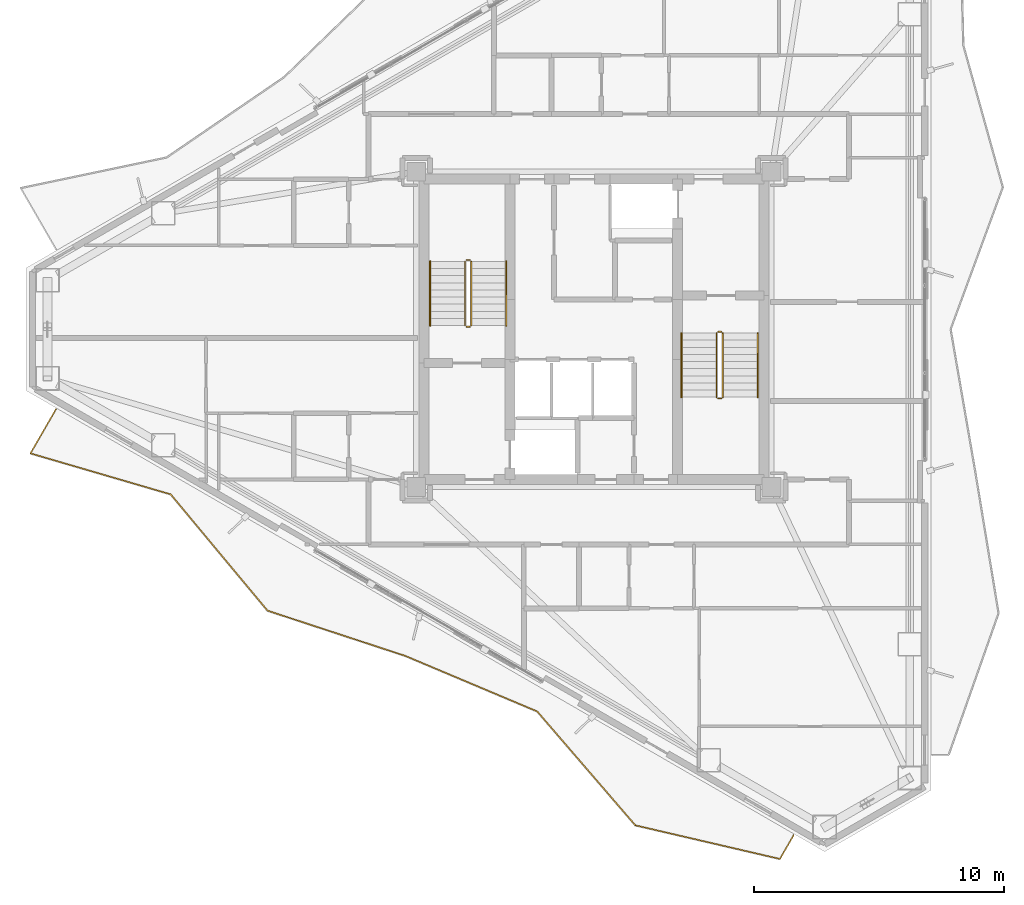
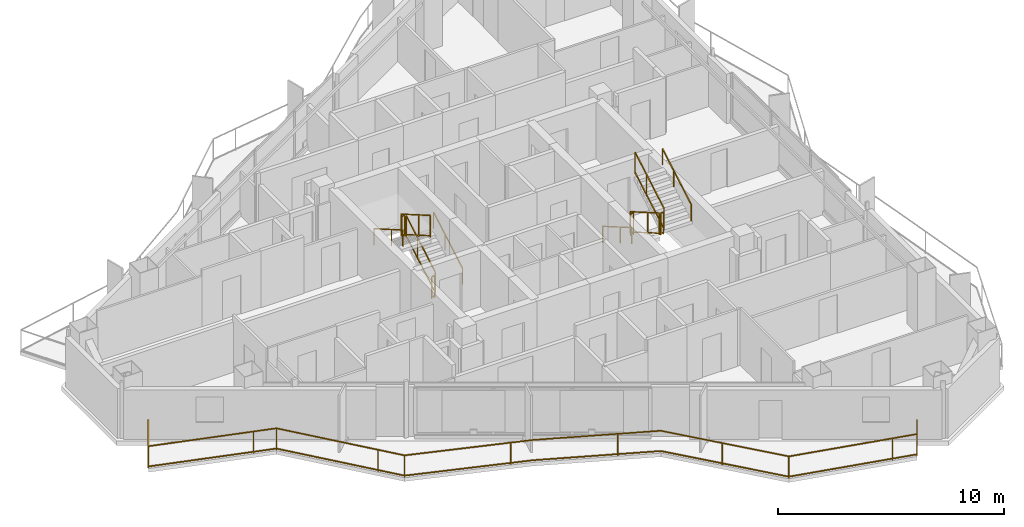
# One storey, part 18 of 19: 13 railings.
"""IFC4 building model written with IfcOpenShell, lengths in metres."""

from ifc_helpers import new_model, si_unit, direction, frame, origin, origin_2d, place, context, subcontext, project, spatial, rectangle, extrude, material, type_object, element, save


model = new_model("IFC4")

# Units and contexts
model_context = context("Model", 3, precision=1e-05, world=origin(), true_north=direction((0.0, 1.0)))
body_context = subcontext(model_context, "Body", "Model", "MODEL_VIEW")
ifc_project = project(units=[si_unit("LENGTHUNIT", "METRE"), si_unit("AREAUNIT", "SQUARE_METRE"), si_unit("VOLUMEUNIT", "CUBIC_METRE"), si_unit("PLANEANGLEUNIT", "RADIAN"), si_unit("MASSUNIT", "GRAM", prefix="KILO")], contexts=[model_context])

# Site, building, storey
site_placement = place(None, origin())
site = spatial("IfcSite", under=ifc_project, at=site_placement, CompositionType="ELEMENT")
building_placement = place(site_placement, origin())
building = spatial("IfcBuilding", under=site, at=building_placement, Name="Mersakhor Tower and Convention Hall", CompositionType="ELEMENT")
storey_placement = place(building_placement, frame((0.0, 0.0, 124.5)))
storey = spatial("IfcBuildingStorey", under=building, at=storey_placement, Name="L34", CompositionType="ELEMENT", Elevation=124.5)

# Railings
ifc_material_1 = material(Name="Powder-coated galvanised steel and laminated glass balustrade", Category="steel")
railing_type_1 = type_object("IfcRailingType", Name="RL-BAL-1200", PredefinedType="BALUSTRADE", material=ifc_material_1)
railing_1_placement = place(storey_placement, frame((7.497802734375, 23.5537109375, 0.0)))
element("IfcRailing", 1, at=railing_1_placement, inside=storey, type_object=railing_type_1, Name="L34 Sinusoidal Balcony Balustrade F3", PredefinedType="BALUSTRADE", context=body_context, shape_type="SweptSolid", body=[
    extrude(rectangle(XDim=0.048095703125, YDim=0.048095703125, at=origin_2d()), frame((0.0, 0.0, 1.17578125), z_axis=(-0.500023678693, -0.866011732453, 0.0), x_axis=(0.866011732453, -0.500023678693, 0.0)), (0.0, 0.0, 1.0), 2.03466796875),
    extrude(rectangle(XDim=0.048095703125, YDim=0.048095703125, at=origin_2d()), frame((0.0, 0.0, 0.080078125), z_axis=(-0.500023678693, -0.866011732453, 0.0), x_axis=(0.866011732453, -0.500023678693, 0.0)), (0.0, 0.0, 1.0), 2.03466796875),
    extrude(rectangle(XDim=0.048095703125, YDim=0.048095703125, at=origin_2d()), frame((-1.017333984375, -1.761962890625, 1.17578125), z_axis=(0.959863187433, -0.28046864604, 0.0), x_axis=(0.28046864604, 0.959863187433, 0.0)), (0.0, 0.0, 1.0), 5.8408203125),
    extrude(rectangle(XDim=0.048095703125, YDim=0.048095703125, at=origin_2d()), frame((-1.017333984375, -1.761962890625, 0.080078125), z_axis=(0.959863187433, -0.28046864604, 0.0), x_axis=(0.28046864604, 0.959863187433, 0.0)), (0.0, 0.0, 1.0), 5.8408203125),
    extrude(rectangle(XDim=0.048095703125, YDim=0.048095703125, at=origin_2d()), frame((4.589111328125, -3.400146484375, 1.17578125), z_axis=(0.639818991746, -0.768525639, 0.0), x_axis=(0.768525639, 0.639818991746, 0.0)), (0.0, 0.0, 1.0), 6.04736328125),
    extrude(rectangle(XDim=0.048095703125, YDim=0.048095703125, at=origin_2d()), frame((4.589111328125, -3.400146484375, 0.080078125), z_axis=(0.639818991746, -0.768525639, 0.0), x_axis=(0.768525639, 0.639818991746, 0.0)), (0.0, 0.0, 1.0), 6.04736328125),
    extrude(rectangle(XDim=0.048095703125, YDim=0.048095703125, at=origin_2d()), frame((8.458251953125, -8.047607421875, 1.17578125), z_axis=(0.950063857998, -0.312055549103, 0.0), x_axis=(0.312055549103, 0.950063857998, 0.0)), (0.0, 0.0, 1.0), 5.79736328125),
    extrude(rectangle(XDim=0.048095703125, YDim=0.048095703125, at=origin_2d()), frame((8.458251953125, -8.047607421875, 0.080078125), z_axis=(0.950063857998, -0.312055549103, 0.0), x_axis=(0.312055549103, 0.950063857998, 0.0)), (0.0, 0.0, 1.0), 5.79736328125),
    extrude(rectangle(XDim=0.048095703125, YDim=0.048095703125, at=origin_2d()), frame((13.966064453125, -9.856689453125, 1.17578125), z_axis=(0.921665102999, -0.387986388827, 0.0), x_axis=(0.387986388827, 0.921665102999, 0.0)), (0.0, 0.0, 1.0), 5.71923828125),
    extrude(rectangle(XDim=0.048095703125, YDim=0.048095703125, at=origin_2d()), frame((13.966064453125, -9.856689453125, 0.080078125), z_axis=(0.921665102999, -0.387986388827, 0.0), x_axis=(0.387986388827, 0.921665102999, 0.0)), (0.0, 0.0, 1.0), 5.71923828125),
    extrude(rectangle(XDim=0.048095703125, YDim=0.048095703125, at=origin_2d()), frame((19.2373046875, -12.07568359375, 1.17578125), z_axis=(0.652826312682, -0.757507627335, 0.0), x_axis=(0.757507627335, 0.652826312682, 0.0)), (0.0, 0.0, 1.0), 6.01025390625),
    extrude(rectangle(XDim=0.048095703125, YDim=0.048095703125, at=origin_2d()), frame((19.2373046875, -12.07568359375, 0.080078125), z_axis=(0.652826312682, -0.757507627335, 0.0), x_axis=(0.757507627335, 0.652826312682, 0.0)), (0.0, 0.0, 1.0), 6.01025390625),
    extrude(rectangle(XDim=0.048095703125, YDim=0.048095703125, at=origin_2d()), frame((23.160888671875, -16.62841796875, 1.17578125), z_axis=(0.974015207491, -0.2264826165, 0.0), x_axis=(0.2264826165, 0.974015207491, 0.0)), (0.0, 0.0, 1.0), 5.930908203125),
    extrude(rectangle(XDim=0.048095703125, YDim=0.048095703125, at=origin_2d()), frame((23.160888671875, -16.62841796875, 0.080078125), z_axis=(0.974015207491, -0.2264826165, 0.0), x_axis=(0.2264826165, 0.974015207491, 0.0)), (0.0, 0.0, 1.0), 5.930908203125),
    extrude(rectangle(XDim=0.048095703125, YDim=0.048095703125, at=origin_2d()), frame((28.937744140625, -17.9716796875, 1.17578125), z_axis=(0.49999903102, 0.866025963225, 0.0), x_axis=(-0.866025963225, 0.49999903102, 0.0)), (0.0, 0.0, 1.0), 1.09521484375),
    extrude(rectangle(XDim=0.048095703125, YDim=0.048095703125, at=origin_2d()), frame((28.937744140625, -17.9716796875, 0.080078125), z_axis=(0.49999903102, 0.866025963225, 0.0), x_axis=(-0.866025963225, 0.49999903102, 0.0)), (0.0, 0.0, 1.0), 1.09521484375),
    extrude(rectangle(XDim=0.0419921875, YDim=0.0419921875, at=origin_2d()), origin(), (0.0, 0.0, 1.0), 1.15185546875),
    extrude(rectangle(XDim=0.0419921875, YDim=0.0419921875, at=origin_2d()), frame((-1.017333984375, -1.761962890625, 0.0)), (0.0, 0.0, 1.0), 1.15185546875),
    extrude(rectangle(XDim=0.0419921875, YDim=0.0419921875, at=origin_2d()), frame((3.590087890625, -3.108154296875, 0.0)), (0.0, 0.0, 1.0), 1.15185546875),
    extrude(rectangle(XDim=0.0419921875, YDim=0.0419921875, at=origin_2d()), frame((4.589111328125, -3.400146484375, 0.0)), (0.0, 0.0, 1.0), 1.15185546875),
    extrude(rectangle(XDim=0.0419921875, YDim=0.0419921875, at=origin_2d()), frame((7.66015625, -7.089111328125, 0.0)), (0.0, 0.0, 1.0), 1.15185546875),
    extrude(rectangle(XDim=0.0419921875, YDim=0.0419921875, at=origin_2d()), frame((8.458251953125, -8.047607421875, 0.0)), (0.0, 0.0, 1.0), 1.15185546875),
    extrude(rectangle(XDim=0.0419921875, YDim=0.0419921875, at=origin_2d()), frame((13.0185546875, -9.54541015625, 0.0)), (0.0, 0.0, 1.0), 1.15185546875),
    extrude(rectangle(XDim=0.0419921875, YDim=0.0419921875, at=origin_2d()), frame((17.470947265625, -11.33203125, 0.0)), (0.0, 0.0, 1.0), 1.15185546875),
    extrude(rectangle(XDim=0.0419921875, YDim=0.0419921875, at=origin_2d()), frame((21.11962890625, -14.260009765625, 0.0)), (0.0, 0.0, 1.0), 1.15185546875),
    extrude(rectangle(XDim=0.0419921875, YDim=0.0419921875, at=origin_2d()), frame((23.160888671875, -16.62841796875, 0.0)), (0.0, 0.0, 1.0), 1.15185546875),
    extrude(rectangle(XDim=0.0419921875, YDim=0.0419921875, at=origin_2d()), frame((27.836181640625, -17.715576171875, 0.0)), (0.0, 0.0, 1.0), 1.15185546875),
    extrude(rectangle(XDim=0.0419921875, YDim=0.0419921875, at=origin_2d()), frame((28.937744140625, -17.9716796875, 0.0)), (0.0, 0.0, 1.0), 1.15185546875),
    extrude(rectangle(XDim=0.0419921875, YDim=0.0419921875, at=origin_2d()), frame((29.4853515625, -17.023193359375, 0.0)), (0.0, 0.0, 1.0), 1.15185546875),
])
ifc_material_2 = material(Name="Brushed stainless steel handrail", Category="steel")
railing_type_2 = type_object("IfcRailingType", Name="RL-HR-900", PredefinedType="HANDRAIL", material=ifc_material_2)
railing_2_placement = place(storey_placement, frame((25.5, 26.89990234375, 0.1650390625)))
element("IfcRailing", 2, at=railing_2_placement, inside=storey, type_object=railing_type_2, Name="L34 ST-1 stair handrail 1", PredefinedType="HANDRAIL", context=body_context, shape_type="SweptSolid", body=[
    extrude(rectangle(XDim=0.048095703125, YDim=0.048095703125, at=origin_2d()), frame((0.0, 0.0, 0.8759765625), z_axis=(0.0, 0.865461999751, 0.500974577186), x_axis=(-1.0, 0.0, 0.0)), (0.0, 0.0, 1.0), 2.9638671875),
    extrude(rectangle(XDim=0.0419921875, YDim=0.0419921875, at=origin_2d()), origin(), (0.0, 0.0, 1.0), 0.851806640625),
    extrude(rectangle(XDim=0.0419921875, YDim=0.0419921875, at=origin_2d()), frame((0.0, 1.557861328125, 0.90185546875)), (0.0, 0.0, 1.0), 0.851806640625),
    extrude(rectangle(XDim=0.0419921875, YDim=0.0419921875, at=origin_2d()), frame((0.0, 2.565185546875, 1.48486328125)), (0.0, 0.0, 1.0), 0.851806640625),
])
railing_3_placement = place(storey_placement, frame((22.449951171875, 29.465087890625, 1.81494140625)))
element("IfcRailing", 3, at=railing_3_placement, inside=storey, type_object=railing_type_2, Name="L34 ST-1 stair handrail 2", PredefinedType="HANDRAIL", context=body_context, shape_type="SweptSolid", body=[
    extrude(rectangle(XDim=0.048095703125, YDim=0.048095703125, at=origin_2d()), frame((0.0, 0.0, 0.8759765625), z_axis=(0.0, -0.865426285481, 0.501036270542), x_axis=(1.0, 0.0, 0.0)), (0.0, 0.0, 1.0), 2.964111328125),
    extrude(rectangle(XDim=0.0419921875, YDim=0.0419921875, at=origin_2d()), origin(), (0.0, 0.0, 1.0), 0.851806640625),
    extrude(rectangle(XDim=0.0419921875, YDim=0.0419921875, at=origin_2d()), frame((0.0, -1.557861328125, 0.90185546875)), (0.0, 0.0, 1.0), 0.851806640625),
    extrude(rectangle(XDim=0.0419921875, YDim=0.0419921875, at=origin_2d()), frame((0.0, -2.565185546875, 1.485107421875)), (0.0, 0.0, 1.0), 0.851806640625),
])
railing_4_placement = place(storey_placement, frame((32.5, 26.60009765625, 0.1650390625)))
element("IfcRailing", 4, at=railing_4_placement, inside=storey, type_object=railing_type_2, Name="L34 ST-2 stair handrail 1", PredefinedType="HANDRAIL", context=body_context, shape_type="SweptSolid", body=[
    extrude(rectangle(XDim=0.048095703125, YDim=0.048095703125, at=origin_2d()), frame((0.0, 0.0, 0.8759765625), z_axis=(0.0, -0.865461999751, 0.500974577186), x_axis=(1.0, 0.0, 0.0)), (0.0, 0.0, 1.0), 2.9638671875),
    extrude(rectangle(XDim=0.0419921875, YDim=0.0419921875, at=origin_2d()), origin(), (0.0, 0.0, 1.0), 0.851806640625),
    extrude(rectangle(XDim=0.0419921875, YDim=0.0419921875, at=origin_2d()), frame((0.0, -1.557861328125, 0.90185546875)), (0.0, 0.0, 1.0), 0.851806640625),
    extrude(rectangle(XDim=0.0419921875, YDim=0.0419921875, at=origin_2d()), frame((0.0, -2.565185546875, 1.48486328125)), (0.0, 0.0, 1.0), 0.851806640625),
])
railing_5_placement = place(storey_placement, frame((35.550048828125, 24.034912109375, 1.81494140625)))
element("IfcRailing", 5, at=railing_5_placement, inside=storey, type_object=railing_type_2, Name="L34 ST-2 stair handrail 2", PredefinedType="HANDRAIL", context=body_context, shape_type="SweptSolid", body=[
    extrude(rectangle(XDim=0.048095703125, YDim=0.048095703125, at=origin_2d()), frame((0.0, 0.0, 0.8759765625), z_axis=(0.0, 0.865426285481, 0.501036270542), x_axis=(-1.0, 0.0, 0.0)), (0.0, 0.0, 1.0), 2.964111328125),
    extrude(rectangle(XDim=0.0419921875, YDim=0.0419921875, at=origin_2d()), origin(), (0.0, 0.0, 1.0), 0.851806640625),
    extrude(rectangle(XDim=0.0419921875, YDim=0.0419921875, at=origin_2d()), frame((0.0, 1.557861328125, 0.90185546875)), (0.0, 0.0, 1.0), 0.851806640625),
    extrude(rectangle(XDim=0.0419921875, YDim=0.0419921875, at=origin_2d()), frame((0.0, 2.565185546875, 1.485107421875)), (0.0, 0.0, 1.0), 0.851806640625),
])
ifc_material_3 = material(Name="Painted steel stair balustrade S355", Category="steel")
railing_type_3 = type_object("IfcRailingType", Name="RL-STG-1200", PredefinedType="BALUSTRADE", material=ifc_material_3)
railing_6_placement = place(storey_placement, frame((24.10009765625, 26.89990234375, 0.1650390625)))
element("IfcRailing", 6, at=railing_6_placement, inside=storey, type_object=railing_type_3, Name="L34 ST-1 stair guard 1", PredefinedType="BALUSTRADE", context=body_context, shape_type="SweptSolid", body=[
    extrude(rectangle(XDim=0.048095703125, YDim=0.048095703125, at=origin_2d()), frame((0.0, 0.0, 1.17578125), z_axis=(0.0, 0.865461999751, 0.500974577186), x_axis=(-1.0, 0.0, 0.0)), (0.0, 0.0, 1.0), 2.9638671875),
    extrude(rectangle(XDim=0.048095703125, YDim=0.048095703125, at=origin_2d()), frame((0.0, 0.0, 0.080078125), z_axis=(0.0, 0.865461999751, 0.500974577186), x_axis=(-1.0, 0.0, 0.0)), (0.0, 0.0, 1.0), 2.9638671875),
    extrude(rectangle(XDim=0.0419921875, YDim=0.0419921875, at=origin_2d()), origin(), (0.0, 0.0, 1.0), 1.15185546875),
    extrude(rectangle(XDim=0.0419921875, YDim=0.0419921875, at=origin_2d()), frame((0.0, 1.557861328125, 0.90185546875)), (0.0, 0.0, 1.0), 1.15185546875),
    extrude(rectangle(XDim=0.0419921875, YDim=0.0419921875, at=origin_2d()), frame((0.0, 2.565185546875, 1.48486328125)), (0.0, 0.0, 1.0), 1.15185546875),
])
railing_7_placement = place(storey_placement, frame((24.050048828125, 29.514892578125, 1.64990234375)))
element("IfcRailing", 7, at=railing_7_placement, inside=storey, type_object=railing_type_3, Name="L34 ST-1 stair guard 2", PredefinedType="BALUSTRADE", context=body_context, shape_type="SweptSolid", body=[
    extrude(rectangle(XDim=0.048095703125, YDim=0.048095703125, at=origin_2d()), frame((0.0, 0.0, 1.17578125), z_axis=(-1.0, 0.0, 0.0), x_axis=(0.0, -1.0, 0.0)), (0.0, 0.0, 1.0), 0.150146484375),
    extrude(rectangle(XDim=0.048095703125, YDim=0.048095703125, at=origin_2d()), frame((0.0, 0.0, 0.080078125), z_axis=(-1.0, 0.0, 0.0), x_axis=(0.0, -1.0, 0.0)), (0.0, 0.0, 1.0), 0.150146484375),
    extrude(rectangle(XDim=0.0419921875, YDim=0.0419921875, at=origin_2d()), origin(), (0.0, 0.0, 1.0), 1.15185546875),
    extrude(rectangle(XDim=0.0419921875, YDim=0.0419921875, at=origin_2d()), frame((-0.150146484375, 0.0, 0.0)), (0.0, 0.0, 1.0), 1.15185546875),
])
railing_8_placement = place(storey_placement, frame((23.85009765625, 29.465087890625, 1.81494140625)))
element("IfcRailing", 8, at=railing_8_placement, inside=storey, type_object=railing_type_3, Name="L34 ST-1 stair guard 3", PredefinedType="BALUSTRADE", context=body_context, shape_type="SweptSolid", body=[
    extrude(rectangle(XDim=0.048095703125, YDim=0.048095703125, at=origin_2d()), frame((0.0, 0.0, 1.17578125), z_axis=(0.0, -0.865426285481, 0.501036270542), x_axis=(1.0, 0.0, 0.0)), (0.0, 0.0, 1.0), 2.964111328125),
    extrude(rectangle(XDim=0.048095703125, YDim=0.048095703125, at=origin_2d()), frame((0.0, 0.0, 0.080078125), z_axis=(0.0, -0.865426285481, 0.501036270542), x_axis=(1.0, 0.0, 0.0)), (0.0, 0.0, 1.0), 2.964111328125),
    extrude(rectangle(XDim=0.0419921875, YDim=0.0419921875, at=origin_2d()), origin(), (0.0, 0.0, 1.0), 1.15185546875),
    extrude(rectangle(XDim=0.0419921875, YDim=0.0419921875, at=origin_2d()), frame((0.0, -1.557861328125, 0.90185546875)), (0.0, 0.0, 1.0), 1.15185546875),
    extrude(rectangle(XDim=0.0419921875, YDim=0.0419921875, at=origin_2d()), frame((0.0, -2.565185546875, 1.485107421875)), (0.0, 0.0, 1.0), 1.15185546875),
])
railing_9_placement = place(storey_placement, frame((24.050048828125, 26.85009765625, 0.0)))
element("IfcRailing", 9, at=railing_9_placement, inside=storey, type_object=railing_type_3, Name="L34 ST-1 stair guard 4", PredefinedType="BALUSTRADE", context=body_context, shape_type="SweptSolid", body=[
    extrude(rectangle(XDim=0.048095703125, YDim=0.048095703125, at=origin_2d()), frame((0.0, 0.0, 1.17578125), z_axis=(-1.0, 0.0, 0.0), x_axis=(0.0, -1.0, 0.0)), (0.0, 0.0, 1.0), 0.150146484375),
    extrude(rectangle(XDim=0.048095703125, YDim=0.048095703125, at=origin_2d()), frame((0.0, 0.0, 0.080078125), z_axis=(-1.0, 0.0, 0.0), x_axis=(0.0, -1.0, 0.0)), (0.0, 0.0, 1.0), 0.150146484375),
    extrude(rectangle(XDim=0.0419921875, YDim=0.0419921875, at=origin_2d()), origin(), (0.0, 0.0, 1.0), 1.15185546875),
    extrude(rectangle(XDim=0.0419921875, YDim=0.0419921875, at=origin_2d()), frame((-0.150146484375, 0.0, 0.0)), (0.0, 0.0, 1.0), 1.15185546875),
])
railing_10_placement = place(storey_placement, frame((33.89990234375, 26.60009765625, 0.1650390625)))
element("IfcRailing", 10, at=railing_10_placement, inside=storey, type_object=railing_type_3, Name="L34 ST-2 stair guard 1", PredefinedType="BALUSTRADE", context=body_context, shape_type="SweptSolid", body=[
    extrude(rectangle(XDim=0.048095703125, YDim=0.048095703125, at=origin_2d()), frame((0.0, 0.0, 1.17578125), z_axis=(0.0, -0.865461999751, 0.500974577186), x_axis=(1.0, 0.0, 0.0)), (0.0, 0.0, 1.0), 2.9638671875),
    extrude(rectangle(XDim=0.048095703125, YDim=0.048095703125, at=origin_2d()), frame((0.0, 0.0, 0.080078125), z_axis=(0.0, -0.865461999751, 0.500974577186), x_axis=(1.0, 0.0, 0.0)), (0.0, 0.0, 1.0), 2.9638671875),
    extrude(rectangle(XDim=0.0419921875, YDim=0.0419921875, at=origin_2d()), origin(), (0.0, 0.0, 1.0), 1.15185546875),
    extrude(rectangle(XDim=0.0419921875, YDim=0.0419921875, at=origin_2d()), frame((0.0, -1.557861328125, 0.90185546875)), (0.0, 0.0, 1.0), 1.15185546875),
    extrude(rectangle(XDim=0.0419921875, YDim=0.0419921875, at=origin_2d()), frame((0.0, -2.565185546875, 1.48486328125)), (0.0, 0.0, 1.0), 1.15185546875),
])
railing_11_placement = place(storey_placement, frame((33.949951171875, 23.985107421875, 1.64990234375)))
element("IfcRailing", 11, at=railing_11_placement, inside=storey, type_object=railing_type_3, Name="L34 ST-2 stair guard 2", PredefinedType="BALUSTRADE", context=body_context, shape_type="SweptSolid", body=[
    extrude(rectangle(XDim=0.048095703125, YDim=0.048095703125, at=origin_2d()), frame((0.0, 0.0, 1.17578125), z_axis=(1.0, 0.0, 0.0), x_axis=(0.0, 1.0, 0.0)), (0.0, 0.0, 1.0), 0.150146484375),
    extrude(rectangle(XDim=0.048095703125, YDim=0.048095703125, at=origin_2d()), frame((0.0, 0.0, 0.080078125), z_axis=(1.0, 0.0, 0.0), x_axis=(0.0, 1.0, 0.0)), (0.0, 0.0, 1.0), 0.150146484375),
    extrude(rectangle(XDim=0.0419921875, YDim=0.0419921875, at=origin_2d()), origin(), (0.0, 0.0, 1.0), 1.15185546875),
    extrude(rectangle(XDim=0.0419921875, YDim=0.0419921875, at=origin_2d()), frame((0.150146484375, 0.0, 0.0)), (0.0, 0.0, 1.0), 1.15185546875),
])
railing_12_placement = place(storey_placement, frame((34.14990234375, 24.034912109375, 1.81494140625)))
element("IfcRailing", 12, at=railing_12_placement, inside=storey, type_object=railing_type_3, Name="L34 ST-2 stair guard 3", PredefinedType="BALUSTRADE", context=body_context, shape_type="SweptSolid", body=[
    extrude(rectangle(XDim=0.048095703125, YDim=0.048095703125, at=origin_2d()), frame((0.0, 0.0, 1.17578125), z_axis=(0.0, 0.865426285481, 0.501036270542), x_axis=(-1.0, 0.0, 0.0)), (0.0, 0.0, 1.0), 2.964111328125),
    extrude(rectangle(XDim=0.048095703125, YDim=0.048095703125, at=origin_2d()), frame((0.0, 0.0, 0.080078125), z_axis=(0.0, 0.865426285481, 0.501036270542), x_axis=(-1.0, 0.0, 0.0)), (0.0, 0.0, 1.0), 2.964111328125),
    extrude(rectangle(XDim=0.0419921875, YDim=0.0419921875, at=origin_2d()), origin(), (0.0, 0.0, 1.0), 1.15185546875),
    extrude(rectangle(XDim=0.0419921875, YDim=0.0419921875, at=origin_2d()), frame((0.0, 1.557861328125, 0.90185546875)), (0.0, 0.0, 1.0), 1.15185546875),
    extrude(rectangle(XDim=0.0419921875, YDim=0.0419921875, at=origin_2d()), frame((0.0, 2.565185546875, 1.485107421875)), (0.0, 0.0, 1.0), 1.15185546875),
])
railing_13_placement = place(storey_placement, frame((33.949951171875, 26.64990234375, 0.0)))
element("IfcRailing", 13, at=railing_13_placement, inside=storey, type_object=railing_type_3, Name="L34 ST-2 stair guard 4", PredefinedType="BALUSTRADE", context=body_context, shape_type="SweptSolid", body=[
    extrude(rectangle(XDim=0.048095703125, YDim=0.048095703125, at=origin_2d()), frame((0.0, 0.0, 1.17578125), z_axis=(1.0, 0.0, 0.0), x_axis=(0.0, 1.0, 0.0)), (0.0, 0.0, 1.0), 0.150146484375),
    extrude(rectangle(XDim=0.048095703125, YDim=0.048095703125, at=origin_2d()), frame((0.0, 0.0, 0.080078125), z_axis=(1.0, 0.0, 0.0), x_axis=(0.0, 1.0, 0.0)), (0.0, 0.0, 1.0), 0.150146484375),
    extrude(rectangle(XDim=0.0419921875, YDim=0.0419921875, at=origin_2d()), origin(), (0.0, 0.0, 1.0), 1.15185546875),
    extrude(rectangle(XDim=0.0419921875, YDim=0.0419921875, at=origin_2d()), frame((0.150146484375, 0.0, 0.0)), (0.0, 0.0, 1.0), 1.15185546875),
])

save(model, "model.ifc")
